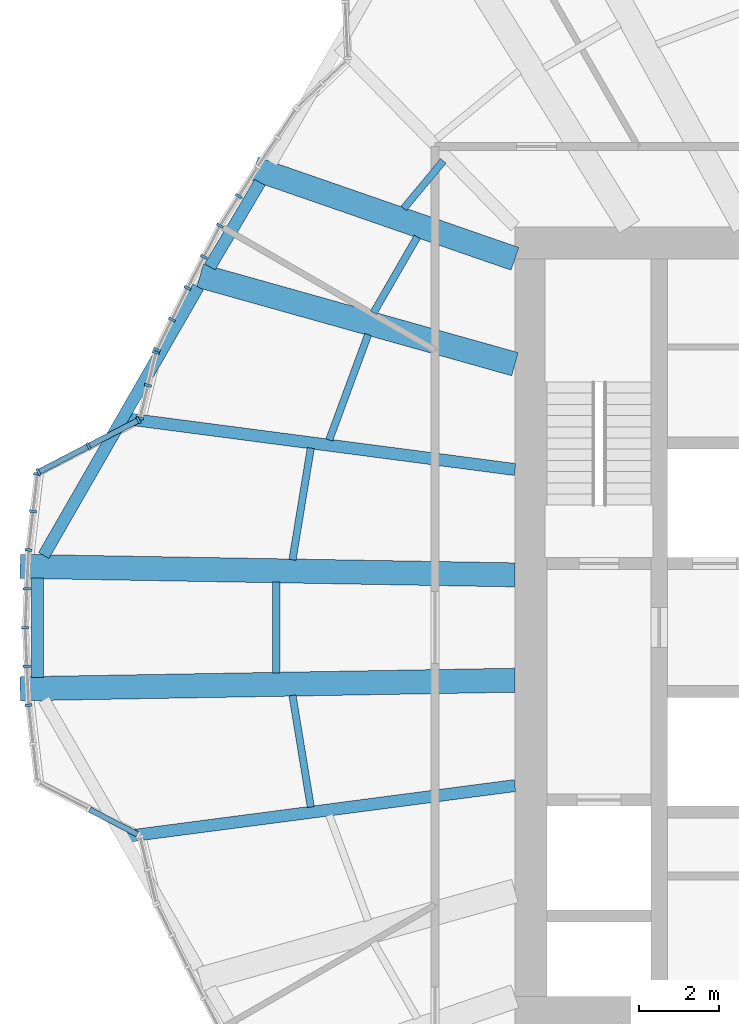
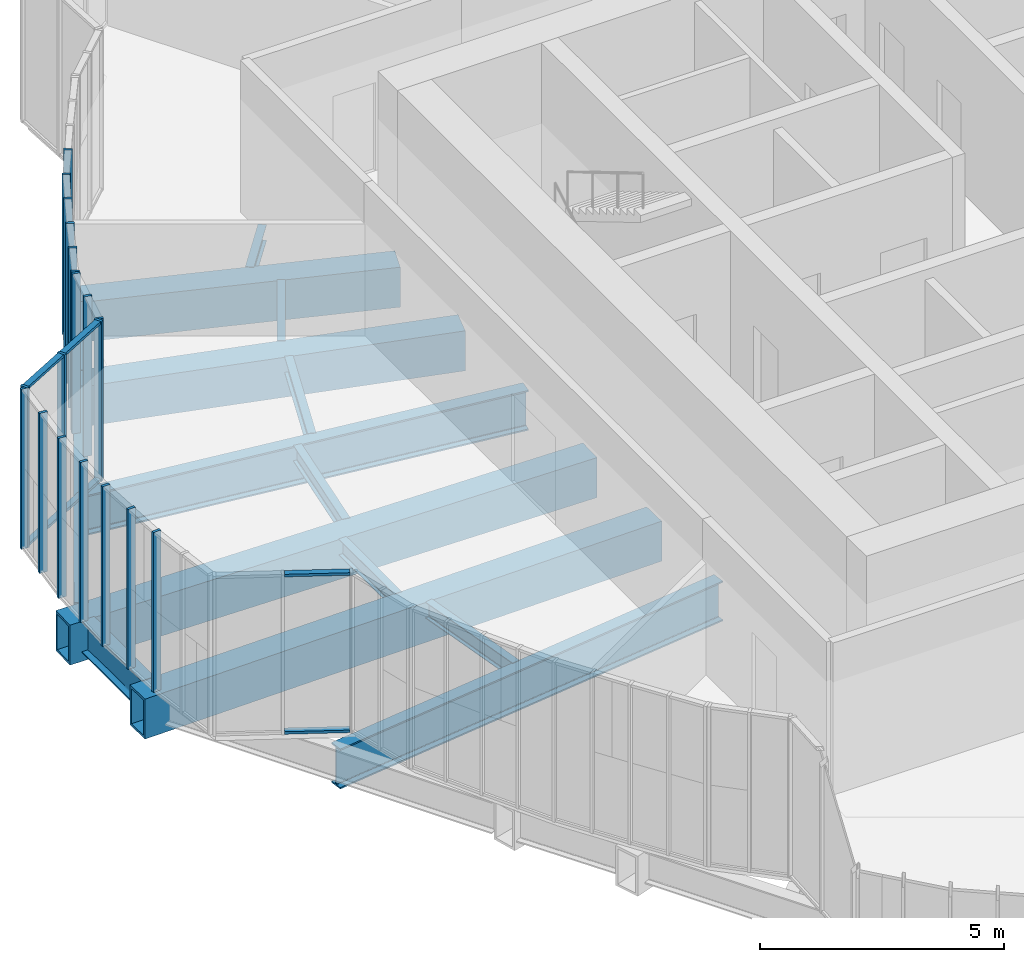
# One storey, part 3 of 24: 25 members, 15 beams, 9 elements without a shape of their own.
"""IFC4 building model written with IfcOpenShell, lengths in metres."""

from ifc_helpers import new_model, si_unit, direction, frame, origin, origin_2d, place, context, subcontext, project, spatial, rectangle, hollow_rectangle, i_section, extrude, material, material_profile, profile_set, type_object, element, aggregate, save


model = new_model("IFC4")

# Units and contexts
model_context = context("Model", 3, precision=1e-05, world=origin(), true_north=direction((0.0, 1.0)))
body_context = subcontext(model_context, "Body", "Model", "MODEL_VIEW")
ifc_project = project(units=[si_unit("LENGTHUNIT", "METRE"), si_unit("AREAUNIT", "SQUARE_METRE"), si_unit("VOLUMEUNIT", "CUBIC_METRE"), si_unit("PLANEANGLEUNIT", "RADIAN"), si_unit("MASSUNIT", "GRAM", prefix="KILO")], contexts=[model_context])

# Site, building, storey
site_placement = place(None, origin())
site = spatial("IfcSite", under=ifc_project, at=site_placement, CompositionType="ELEMENT")
building_placement = place(site_placement, origin())
building = spatial("IfcBuilding", under=site, at=building_placement, Name="Golbaran Civic Tower", CompositionType="ELEMENT")
storey_placement = place(building_placement, frame((0.0, 0.0, 25.0)))
storey = spatial("IfcBuildingStorey", under=building, at=storey_placement, Name="L05", CompositionType="ELEMENT", Elevation=25.0)

# Beams
ifc_material_1 = material(Name="Steel S355", Category="steel")
ifc_material_profile_1 = material_profile(ifc_material_1, i_section(OverallWidth=0.300048828125, OverallDepth=0.800048828125, WebThickness=0.017578125, FlangeThickness=0.032958984375, FilletRadius=0.030029296875, at=origin_2d()), Name="HEB 800")
ifc_profile_set_1 = profile_set([ifc_material_profile_1], Name="Steel S355")
beam_type_1 = type_object("IfcBeamType", Name="EDGE BEAM HEB 800", PredefinedType="BEAM", material=ifc_profile_set_1)
beam_1_placement = place(storey_placement, frame((-16.36279296875, 11.10791015625, -0.60009765625), z_axis=(-0.509256148857, -0.86061499804, 0.0), x_axis=(0.86061499804, -0.509256148857, 0.0)))
element("IfcBeam", 1, at=beam_1_placement, inside=storey, type_object=beam_type_1, Name="Edge beam 145.74 L05", PredefinedType="BEAM", context=body_context, shape_type="SweptSolid", body=[
    extrude(i_section(OverallWidth=0.300048828125, OverallDepth=0.800048828125, WebThickness=0.017578125, FlangeThickness=0.032958984375, FilletRadius=0.030029296875, at=origin_2d()), origin(), (0.0, 0.0, 1.0), 2.45068359375),
])
beam_2_placement = place(storey_placement, frame((-17.90234375, 8.4990234375, -0.60009765625), z_axis=(-0.498561902583, -0.866854099196, 0.0), x_axis=(0.866854099196, -0.498561902583, 0.0)))
element("IfcBeam", 2, at=beam_2_placement, inside=storey, type_object=beam_type_1, Name="Edge beam 154.26 L05", PredefinedType="BEAM", context=body_context, shape_type="SweptSolid", body=[
    extrude(i_section(OverallWidth=0.300048828125, OverallDepth=0.800048828125, WebThickness=0.017578125, FlangeThickness=0.032958984375, FilletRadius=0.030029296875, at=origin_2d()), origin(), (0.0, 0.0, 1.0), 7.730712890625),
])
beam_3_placement = place(storey_placement, frame((-21.916015625, 1.240234375, -0.60009765625), z_axis=(0.0, -1.0, 0.0), x_axis=(1.0, 0.0, 0.0)))
element("IfcBeam", 3, at=beam_3_placement, inside=storey, type_object=beam_type_1, Name="Edge beam 176.17 L05", PredefinedType="BEAM", context=body_context, shape_type="SweptSolid", body=[
    extrude(i_section(OverallWidth=0.300048828125, OverallDepth=0.800048828125, WebThickness=0.017578125, FlangeThickness=0.032958984375, FilletRadius=0.030029296875, at=origin_2d()), origin(), (0.0, 0.0, 1.0), 2.48046875),
])
ifc_material_profile_2 = material_profile(ifc_material_1, i_section(OverallWidth=0.179931640625, OverallDepth=0.39990234375, WebThickness=0.008544921875, FlangeThickness=0.013427734375, FilletRadius=0.02099609375, at=origin_2d()), Name="IPE 400")
ifc_profile_set_2 = profile_set([ifc_material_profile_2], Name="Steel S355")
beam_type_2 = type_object("IfcBeamType", Name="FLOOR INFILL BEAM IPE 400", PredefinedType="BEAM", material=ifc_profile_set_2)
beam_4_placement = place(storey_placement, frame((-11.786865234375, 11.64453125, -0.39990234375), z_axis=(-0.639203926169, -0.769037281782, 0.0), x_axis=(0.769037281782, -0.639203926169, 0.0)))
element("IfcBeam", 4, at=beam_4_placement, inside=storey, type_object=beam_type_2, Name="Infill beam 140.27 L05", PredefinedType="BEAM", context=body_context, shape_type="SweptSolid", body=[
    extrude(i_section(OverallWidth=0.179931640625, OverallDepth=0.39990234375, WebThickness=0.008544921875, FlangeThickness=0.013427734375, FilletRadius=0.02099609375, at=origin_2d()), origin(), (0.0, 0.0, 1.0), 1.543701171875),
])
beam_5_placement = place(storey_placement, frame((-12.435791015625, 9.74755859375, -0.39990234375), z_axis=(-0.499980071345, -0.866036909293, 0.0), x_axis=(0.866036909293, -0.499980071345, 0.0)))
element("IfcBeam", 5, at=beam_5_placement, inside=storey, type_object=beam_type_2, Name="Infill beam 150.00 L05", PredefinedType="BEAM", context=body_context, shape_type="SweptSolid", body=[
    extrude(i_section(OverallWidth=0.179931640625, OverallDepth=0.39990234375, WebThickness=0.008544921875, FlangeThickness=0.013427734375, FilletRadius=0.02099609375, at=origin_2d()), origin(), (0.0, 0.0, 1.0), 2.1875),
])
beam_6_placement = place(storey_placement, frame((-13.66357421875, 7.30908203125, -0.39990234375), z_axis=(-0.346383518623, -0.938092990074, 0.0), x_axis=(0.938092990074, -0.346383518623, 0.0)))
element("IfcBeam", 6, at=beam_6_placement, inside=storey, type_object=beam_type_2, Name="Infill beam 159.73 L05", PredefinedType="BEAM", context=body_context, shape_type="SweptSolid", body=[
    extrude(i_section(OverallWidth=0.179931640625, OverallDepth=0.39990234375, WebThickness=0.008544921875, FlangeThickness=0.013427734375, FilletRadius=0.02099609375, at=origin_2d()), origin(), (0.0, 0.0, 1.0), 2.802490234375),
])
beam_7_placement = place(storey_placement, frame((-15.09375, 4.47802734375, -0.39990234375), z_axis=(-0.161707417606, -0.986838746245, 0.0), x_axis=(0.986838746245, -0.161707417606, 0.0)))
element("IfcBeam", 7, at=beam_7_placement, inside=storey, type_object=beam_type_2, Name="Infill beam 170.69 L05", PredefinedType="BEAM", context=body_context, shape_type="SweptSolid", body=[
    extrude(i_section(OverallWidth=0.179931640625, OverallDepth=0.39990234375, WebThickness=0.008544921875, FlangeThickness=0.013427734375, FilletRadius=0.02099609375, at=origin_2d()), origin(), (0.0, 0.0, 1.0), 2.82470703125),
])
beam_8_placement = place(storey_placement, frame((-15.9580078125, 1.13720703125, -0.39990234375), z_axis=(0.0, -1.0, 0.0), x_axis=(1.0, 0.0, 0.0)))
element("IfcBeam", 8, at=beam_8_placement, inside=storey, type_object=beam_type_2, Name="Infill beam 180.00 L05", PredefinedType="BEAM", context=body_context, shape_type="SweptSolid", body=[
    extrude(i_section(OverallWidth=0.179931640625, OverallDepth=0.39990234375, WebThickness=0.008544921875, FlangeThickness=0.013427734375, FilletRadius=0.02099609375, at=origin_2d()), origin(), (0.0, 0.0, 1.0), 2.2744140625),
])
beam_9_placement = place(storey_placement, frame((-15.550537109375, -1.6904296875, -0.39990234375), z_axis=(0.161707417606, -0.986838746245, 0.0), x_axis=(0.986838746245, 0.161707417606, 0.0)))
element("IfcBeam", 9, at=beam_9_placement, inside=storey, type_object=beam_type_2, Name="Infill beam 189.31 L05", PredefinedType="BEAM", context=body_context, shape_type="SweptSolid", body=[
    extrude(i_section(OverallWidth=0.179931640625, OverallDepth=0.39990234375, WebThickness=0.008544921875, FlangeThickness=0.013427734375, FilletRadius=0.02099609375, at=origin_2d()), origin(), (0.0, 0.0, 1.0), 2.82470703125),
])

# Curtain wall, members
ifc_material_2 = material(Name="Aluminium and glass", Category="aluminium")
curtain_wall_type = type_object("IfcCurtainWallType", Name="INNER SKIN CURTAIN WALL", PredefinedType="NOTDEFINED", material=ifc_material_2)
curtain_wall_1_placement = place(storey_placement, origin())
curtain_wall_1 = element("IfcCurtainWall", 10, at=curtain_wall_1_placement, inside=storey, type_object=curtain_wall_type, Name="Inner skin L05 facet 30 CW1", ObjectType="INNER SKIN", PredefinedType="USERDEFINED")
ifc_material_3 = material(Name="Aluminium", Category="aluminium")
ifc_material_profile_3 = material_profile(ifc_material_3, rectangle(XDim=0.179931640625, YDim=0.06494140625, at=origin_2d()), Name="INNER SKIN CURTAIN WALL MULLION")
ifc_profile_set_3 = profile_set([ifc_material_profile_3], Name="Aluminium")
member_type_1 = type_object("IfcMemberType", Name="INNER SKIN CURTAIN WALL MULLION", PredefinedType="MULLION", material=ifc_profile_set_3)
member_1_placement = place(storey_placement, frame((-16.891357421875, 10.760986328125, 0.0), z_axis=(0.0, 0.0, 1.0), x_axis=(0.843391445841, -0.537299608303, 0.0)))
member_1 = element("IfcMember", 11, at=member_1_placement, type_object=member_type_1, Name="CW1 mullion 2", PredefinedType="MULLION", context=body_context, shape_type="SweptSolid", body=[
    extrude(rectangle(XDim=0.179931640625, YDim=0.06494140625, at=origin_2d()), origin(), (0.0, 0.0, 1.0), 4.0),
])
member_2_placement = place(storey_placement, frame((-17.361328125, 10.0234375, 0.0), z_axis=(0.0, 0.0, 1.0), x_axis=(0.866025403837, -0.499999999909, 0.0)))
member_2 = element("IfcMember", 12, at=member_2_placement, type_object=member_type_1, Name="CW1 mullion 3", PredefinedType="MULLION", context=body_context, shape_type="SweptSolid", body=[
    extrude(rectangle(XDim=0.179931640625, YDim=0.06494140625, at=origin_2d()), origin(), (0.0, 0.0, 1.0), 4.0),
])
aggregate(curtain_wall_1, [member_1, member_2])

curtain_wall_2_placement = place(storey_placement, origin())
curtain_wall_2 = element("IfcCurtainWall", 13, at=curtain_wall_2_placement, inside=storey, type_object=curtain_wall_type, Name="Inner skin L05 facet 31 CW1", ObjectType="INNER SKIN", PredefinedType="USERDEFINED")
member_3_placement = place(storey_placement, frame((-17.764892578125, 9.247802734375, 0.0), z_axis=(0.0, 0.0, 1.0), x_axis=(0.887010833202, -0.461748613189, 0.0)))
member_3 = element("IfcMember", 14, at=member_3_placement, type_object=member_type_1, Name="CW1 mullion 2", PredefinedType="MULLION", context=body_context, shape_type="SweptSolid", body=[
    extrude(rectangle(XDim=0.179931640625, YDim=0.06494140625, at=origin_2d()), origin(), (0.0, 0.0, 1.0), 4.0),
])
member_4_placement = place(storey_placement, frame((-18.168701171875, 8.47216796875, 0.0), z_axis=(0.0, 0.0, 1.0), x_axis=(0.89149153149, -0.453037359698, 0.0)))
member_4 = element("IfcMember", 15, at=member_4_placement, type_object=member_type_1, Name="CW1 mullion 3", PredefinedType="MULLION", context=body_context, shape_type="SweptSolid", body=[
    extrude(rectangle(XDim=0.179931640625, YDim=0.06494140625, at=origin_2d()), origin(), (0.0, 0.0, 1.0), 4.0),
])
aggregate(curtain_wall_2, [member_3, member_4])

curtain_wall_3_placement = place(storey_placement, origin())
curtain_wall_3 = element("IfcCurtainWall", 16, at=curtain_wall_3_placement, inside=storey, type_object=curtain_wall_type, Name="Inner skin L05 facet 32 CW1", ObjectType="INNER SKIN", PredefinedType="USERDEFINED")
member_5_placement = place(storey_placement, frame((-18.559326171875, 7.684814453125, 0.0), z_axis=(0.0, 0.0, 1.0), x_axis=(0.895886679922, -0.444282631597, 0.0)))
member_5 = element("IfcMember", 17, at=member_5_placement, type_object=member_type_1, Name="CW1 mullion 2", PredefinedType="MULLION", context=body_context, shape_type="SweptSolid", body=[
    extrude(rectangle(XDim=0.179931640625, YDim=0.06494140625, at=origin_2d()), origin(), (0.0, 0.0, 1.0), 4.0),
])
member_6_placement = place(storey_placement, frame((-18.935302734375, 6.92626953125, 0.0), z_axis=(0.0, 0.0, 1.0), x_axis=(0.895886679922, -0.444282631597, 0.0)))
member_6 = element("IfcMember", 18, at=member_6_placement, type_object=member_type_1, Name="CW1 mullion 3", PredefinedType="MULLION", context=body_context, shape_type="SweptSolid", body=[
    extrude(rectangle(XDim=0.179931640625, YDim=0.06494140625, at=origin_2d()), origin(), (0.0, 0.0, 1.0), 4.0),
])
aggregate(curtain_wall_3, [member_5, member_6])

curtain_wall_4_placement = place(storey_placement, origin())
curtain_wall_4 = element("IfcCurtainWall", 19, at=curtain_wall_4_placement, inside=storey, type_object=curtain_wall_type, Name="Inner skin L05 facet 33 CW1", ObjectType="INNER SKIN", PredefinedType="USERDEFINED")
member_7_placement = place(storey_placement, frame((-18.95751953125, 6.865478515625, 0.0), z_axis=(0.0, 0.0, 1.0), x_axis=(0.9718683836, -0.235524616461, 0.0)))
member_7 = element("IfcMember", 20, at=member_7_placement, type_object=member_type_1, Name="CW1 mullion 1", PredefinedType="MULLION", context=body_context, shape_type="SweptSolid", body=[
    extrude(rectangle(XDim=0.179931640625, YDim=0.06494140625, at=origin_2d()), origin(), (0.0, 0.0, 1.0), 4.0),
])
member_8_placement = place(storey_placement, frame((-19.156982421875, 6.04296875, 0.0), z_axis=(0.0, 0.0, 1.0), x_axis=(0.9718683836, -0.235524616461, 0.0)))
member_8 = element("IfcMember", 21, at=member_8_placement, type_object=member_type_1, Name="CW1 mullion 2", PredefinedType="MULLION", context=body_context, shape_type="SweptSolid", body=[
    extrude(rectangle(XDim=0.179931640625, YDim=0.06494140625, at=origin_2d()), origin(), (0.0, 0.0, 1.0), 4.0),
])
member_9_placement = place(storey_placement, frame((-19.356201171875, 5.22021484375, 0.0), z_axis=(0.0, 0.0, 1.0), x_axis=(0.9718683836, -0.235524616461, 0.0)))
member_9 = element("IfcMember", 22, at=member_9_placement, type_object=member_type_1, Name="CW1 mullion 3", PredefinedType="MULLION", context=body_context, shape_type="SweptSolid", body=[
    extrude(rectangle(XDim=0.179931640625, YDim=0.06494140625, at=origin_2d()), origin(), (0.0, 0.0, 1.0), 4.0),
])
aggregate(curtain_wall_4, [member_7, member_8, member_9])

curtain_wall_5_placement = place(storey_placement, origin())
curtain_wall_5 = element("IfcCurtainWall", 23, at=curtain_wall_5_placement, inside=storey, type_object=curtain_wall_type, Name="Inner skin L05 facet 34 CW1", ObjectType="INNER SKIN", PredefinedType="USERDEFINED")
member_10_placement = place(storey_placement, frame((-19.392822265625, 5.173583984375, 0.0), z_axis=(0.0, 0.0, 1.0), x_axis=(0.460945090256, -0.887428658411, 0.0)))
member_10 = element("IfcMember", 24, at=member_10_placement, type_object=member_type_1, Name="CW1 mullion 1", PredefinedType="MULLION", context=body_context, shape_type="SweptSolid", body=[
    extrude(rectangle(XDim=0.179931640625, YDim=0.06494140625, at=origin_2d()), origin(), (0.0, 0.0, 1.0), 4.0),
])
member_11_placement = place(storey_placement, frame((-20.638916015625, 4.5263671875, 0.0), z_axis=(0.0, 0.0, 1.0), x_axis=(0.460945090256, -0.887428658411, 0.0)))
member_11 = element("IfcMember", 25, at=member_11_placement, type_object=member_type_1, Name="CW1 mullion 2", PredefinedType="MULLION", context=body_context, shape_type="SweptSolid", body=[
    extrude(rectangle(XDim=0.179931640625, YDim=0.06494140625, at=origin_2d()), origin(), (0.0, 0.0, 1.0), 4.0),
])
member_12_placement = place(storey_placement, frame((-21.885009765625, 3.87890625, 0.0), z_axis=(0.0, 0.0, 1.0), x_axis=(0.460945090256, -0.887428658411, 0.0)))
member_12 = element("IfcMember", 26, at=member_12_placement, type_object=member_type_1, Name="CW1 mullion 3", PredefinedType="MULLION", context=body_context, shape_type="SweptSolid", body=[
    extrude(rectangle(XDim=0.179931640625, YDim=0.06494140625, at=origin_2d()), origin(), (0.0, 0.0, 1.0), 4.0),
])

curtain_wall_6_placement = place(storey_placement, origin())
curtain_wall_6 = element("IfcCurtainWall", 27, at=curtain_wall_6_placement, inside=storey, type_object=curtain_wall_type, Name="Inner skin L05 facet 35 CW1", ObjectType="INNER SKIN", PredefinedType="USERDEFINED")
member_13_placement = place(storey_placement, frame((-21.917724609375, 3.831787109375, 0.0), z_axis=(0.0, 0.0, 1.0), x_axis=(0.993402133964, -0.114683042492, 0.0)))
member_13 = element("IfcMember", 28, at=member_13_placement, type_object=member_type_1, Name="CW1 mullion 1", PredefinedType="MULLION", context=body_context, shape_type="SweptSolid", body=[
    extrude(rectangle(XDim=0.179931640625, YDim=0.06494140625, at=origin_2d()), origin(), (0.0, 0.0, 1.0), 4.0),
])
member_14_placement = place(storey_placement, frame((-22.025146484375, 2.900390625, 0.0), z_axis=(0.0, 0.0, 1.0), x_axis=(0.993402133964, -0.114683042492, 0.0)))
member_14 = element("IfcMember", 29, at=member_14_placement, type_object=member_type_1, Name="CW1 mullion 2", PredefinedType="MULLION", context=body_context, shape_type="SweptSolid", body=[
    extrude(rectangle(XDim=0.179931640625, YDim=0.06494140625, at=origin_2d()), origin(), (0.0, 0.0, 1.0), 4.0),
])
member_15_placement = place(storey_placement, frame((-22.136474609375, 1.936767578125, 0.0), z_axis=(0.0, 0.0, 1.0), x_axis=(0.996858623671, -0.079201542999, 0.0)))
member_15 = element("IfcMember", 30, at=member_15_placement, type_object=member_type_1, Name="CW1 mullion 3", PredefinedType="MULLION", context=body_context, shape_type="SweptSolid", body=[
    extrude(rectangle(XDim=0.179931640625, YDim=0.06494140625, at=origin_2d()), origin(), (0.0, 0.0, 1.0), 4.0),
])
aggregate(curtain_wall_6, [member_13, member_14, member_15])

curtain_wall_7_placement = place(storey_placement, origin())
curtain_wall_7 = element("IfcCurtainWall", 31, at=curtain_wall_7_placement, inside=storey, type_object=curtain_wall_type, Name="Inner skin L05 facet 36 CW1", ObjectType="INNER SKIN", PredefinedType="USERDEFINED")
member_16_placement = place(storey_placement, frame((-22.1787109375, 0.96826171875, 0.0), z_axis=(0.0, 0.0, 1.0), x_axis=(0.999048221576, -0.043619387505, 0.0)))
member_16 = element("IfcMember", 32, at=member_16_placement, type_object=member_type_1, Name="CW1 mullion 2", PredefinedType="MULLION", context=body_context, shape_type="SweptSolid", body=[
    extrude(rectangle(XDim=0.179931640625, YDim=0.06494140625, at=origin_2d()), origin(), (0.0, 0.0, 1.0), 4.0),
])
member_17_placement = place(storey_placement, frame((-22.220947265625, 0.0, 0.0), z_axis=(0.0, 0.0, 1.0), x_axis=(1.0, -7e-11, 0.0)))
member_17 = element("IfcMember", 33, at=member_17_placement, type_object=member_type_1, Name="CW1 mullion 3", PredefinedType="MULLION", context=body_context, shape_type="SweptSolid", body=[
    extrude(rectangle(XDim=0.179931640625, YDim=0.06494140625, at=origin_2d()), origin(), (0.0, 0.0, 1.0), 4.0),
])
aggregate(curtain_wall_7, [member_16, member_17])

curtain_wall_8_placement = place(storey_placement, origin())
curtain_wall_8 = element("IfcCurtainWall", 34, at=curtain_wall_8_placement, inside=storey, type_object=curtain_wall_type, Name="Inner skin L05 facet 37 CW1", ObjectType="INNER SKIN", PredefinedType="USERDEFINED")
member_18_placement = place(storey_placement, frame((-22.1787109375, -0.96826171875, 0.0), z_axis=(0.0, 0.0, 1.0), x_axis=(0.999048221576, 0.043619387505, 0.0)))
member_18 = element("IfcMember", 35, at=member_18_placement, type_object=member_type_1, Name="CW1 mullion 2", PredefinedType="MULLION", context=body_context, shape_type="SweptSolid", body=[
    extrude(rectangle(XDim=0.179931640625, YDim=0.06494140625, at=origin_2d()), origin(), (0.0, 0.0, 1.0), 4.0),
])
member_19_placement = place(storey_placement, frame((-22.136474609375, -1.936767578125, 0.0), z_axis=(0.0, 0.0, 1.0), x_axis=(0.996858623672, 0.079201542981, 0.0)))
member_19 = element("IfcMember", 36, at=member_19_placement, type_object=member_type_1, Name="CW1 mullion 3", PredefinedType="MULLION", context=body_context, shape_type="SweptSolid", body=[
    extrude(rectangle(XDim=0.179931640625, YDim=0.06494140625, at=origin_2d()), origin(), (0.0, 0.0, 1.0), 4.0),
])
aggregate(curtain_wall_8, [member_18, member_19])

# Member
ifc_material_profile_4 = material_profile(ifc_material_3, rectangle(XDim=0.139892578125, YDim=0.06494140625, at=origin_2d()), Name="INNER SKIN CURTAIN WALL TRANSOM")
ifc_profile_set_4 = profile_set([ifc_material_profile_4], Name="Aluminium")
member_type_2 = type_object("IfcMemberType", Name="INNER SKIN CURTAIN WALL TRANSOM", PredefinedType="USERDEFINED", material=ifc_profile_set_4)
member_20_placement = place(storey_placement, frame((-19.421630859375, 5.15869140625, 0.032470703125), z_axis=(-0.887392828843, -0.461014064122, 0.0), x_axis=(0.461014064122, -0.887392828843, 0.0)))
member_20 = element("IfcMember", 37, at=member_20_placement, type_object=member_type_2, Name="CW1 transom 1.1", ObjectType="TRANSOM", PredefinedType="USERDEFINED", context=body_context, shape_type="SweptSolid", body=[
    extrude(rectangle(XDim=0.139892578125, YDim=0.06494140625, at=origin_2d()), origin(), (0.0, 0.0, 1.0), 1.33935546875),
])

member_21_placement = place(storey_placement, frame((-19.421630859375, 5.15869140625, 3.967529296875), z_axis=(-0.887392828843, -0.461014064122, 0.0), x_axis=(0.461014064122, -0.887392828843, 0.0)))
member_21 = element("IfcMember", 38, at=member_21_placement, type_object=member_type_2, Name="CW1 transom 1.2", ObjectType="TRANSOM", PredefinedType="USERDEFINED", context=body_context, shape_type="SweptSolid", body=[
    extrude(rectangle(XDim=0.139892578125, YDim=0.06494140625, at=origin_2d()), origin(), (0.0, 0.0, 1.0), 1.33935546875),
])

member_22_placement = place(storey_placement, frame((-20.667724609375, 4.51123046875, 0.032470703125), z_axis=(-0.88746739887, -0.460870498017, 0.0), x_axis=(0.460870498017, -0.88746739887, 0.0)))
member_22 = element("IfcMember", 39, at=member_22_placement, type_object=member_type_2, Name="CW1 transom 2.1", ObjectType="TRANSOM", PredefinedType="USERDEFINED", context=body_context, shape_type="SweptSolid", body=[
    extrude(rectangle(XDim=0.139892578125, YDim=0.06494140625, at=origin_2d()), origin(), (0.0, 0.0, 1.0), 1.339111328125),
])

member_23_placement = place(storey_placement, frame((-20.667724609375, 4.51123046875, 3.967529296875), z_axis=(-0.88746739887, -0.460870498017, 0.0), x_axis=(0.460870498017, -0.88746739887, 0.0)))
member_23 = element("IfcMember", 40, at=member_23_placement, type_object=member_type_2, Name="CW1 transom 2.2", ObjectType="TRANSOM", PredefinedType="USERDEFINED", context=body_context, shape_type="SweptSolid", body=[
    extrude(rectangle(XDim=0.139892578125, YDim=0.06494140625, at=origin_2d()), origin(), (0.0, 0.0, 1.0), 1.339111328125),
])

aggregate(curtain_wall_5, [member_10, member_11, member_12, member_20, member_21, member_22, member_23])

# Curtain wall, members
curtain_wall_9_placement = place(storey_placement, origin())
curtain_wall_9 = element("IfcCurtainWall", 41, at=curtain_wall_9_placement, inside=storey, type_object=curtain_wall_type, Name="Inner skin L05 facet 39 CW1", ObjectType="INNER SKIN", PredefinedType="USERDEFINED")
member_24_placement = place(storey_placement, frame((-20.610107421875, -4.541259765625, 0.032470703125), z_axis=(0.887392828843, -0.461014064122, 0.0), x_axis=(0.461014064122, 0.887392828843, 0.0)))
member_24 = element("IfcMember", 42, at=member_24_placement, type_object=member_type_2, Name="CW1 transom 2.1", ObjectType="TRANSOM", PredefinedType="USERDEFINED", context=body_context, shape_type="SweptSolid", body=[
    extrude(rectangle(XDim=0.139892578125, YDim=0.06494140625, at=origin_2d()), origin(), (0.0, 0.0, 1.0), 1.33935546875),
])
member_25_placement = place(storey_placement, frame((-20.610107421875, -4.541259765625, 3.967529296875), z_axis=(0.887392828843, -0.461014064122, 0.0), x_axis=(0.461014064122, 0.887392828843, 0.0)))
member_25 = element("IfcMember", 43, at=member_25_placement, type_object=member_type_2, Name="CW1 transom 2.2", ObjectType="TRANSOM", PredefinedType="USERDEFINED", context=body_context, shape_type="SweptSolid", body=[
    extrude(rectangle(XDim=0.139892578125, YDim=0.06494140625, at=origin_2d()), origin(), (0.0, 0.0, 1.0), 1.33935546875),
])
aggregate(curtain_wall_9, [member_24, member_25])

# Beams
ifc_material_profile_5 = material_profile(ifc_material_1, hollow_rectangle(XDim=0.60009765625, YDim=1.0, WallThickness=0.06005859375, at=origin_2d()), Name="BOX 1000x600x60")
ifc_profile_set_5 = profile_set([ifc_material_profile_5], Name="Steel S355")
beam_type_3 = type_object("IfcBeamType", Name="RADIAL FLOOR BEAM BOX 1000x600x60", PredefinedType="BEAM", material=ifc_profile_set_5)
beam_10_placement = place(storey_placement, frame((-10.0, 9.199951171875, -0.7099609375), z_axis=(-0.944904665861, 0.327345646733, 0.0), x_axis=(-0.327345646733, -0.944904665861, 0.0)))
element("IfcBeam", 44, at=beam_10_placement, inside=storey, type_object=beam_type_3, Name="Radial beam 145.74 L05", PredefinedType="BEAM", context=body_context, shape_type="SweptSolid", body=[
    extrude(hollow_rectangle(XDim=0.60009765625, YDim=1.0, WallThickness=0.06005859375, at=origin_2d()), origin(), (0.0, 0.0, 1.0), 6.8837890625),
])
beam_11_placement = place(storey_placement, frame((-10.0, 6.571533203125, -0.7099609375), z_axis=(-0.962787297075, 0.270260283043, 0.0), x_axis=(-0.270260283043, -0.962787297075, 0.0)))
element("IfcBeam", 45, at=beam_11_placement, inside=storey, type_object=beam_type_3, Name="Radial beam 154.26 L05", PredefinedType="BEAM", context=body_context, shape_type="SweptSolid", body=[
    extrude(hollow_rectangle(XDim=0.60009765625, YDim=1.0, WallThickness=0.06005859375, at=origin_2d()), origin(), (0.0, 0.0, 1.0), 8.1591796875),
])
for number, where, z_axis, x_axis, name in (
    (46, (-10.0, 1.314208984375, -0.7099609375), (-0.999850281855, 0.017303579838, 0.0), (-0.017303579838, -0.999850281855, 0.0), "Radial beam 176.17 L05"),
    (47, (-10.0, -1.314208984375, -0.7099609375), (-0.999850281855, -0.017303579838, 0.0), (0.017303579838, -0.999850281855, 0.0), "Radial beam 183.83 L05"),
):
    element("IfcBeam", number, at=place(storey_placement, frame(where, z_axis=z_axis, x_axis=x_axis)), inside=storey, type_object=beam_type_3, Name=name, PredefinedType="BEAM", context=body_context, shape_type="SweptSolid", body=[
        extrude(hollow_rectangle(XDim=0.60009765625, YDim=1.0, WallThickness=0.06005859375, at=origin_2d()), origin(), (0.0, 0.0, 1.0), 12.345703125),
    ])
ifc_material_profile_6 = material_profile(ifc_material_1, i_section(OverallWidth=0.300048828125, OverallDepth=1.0, WebThickness=0.01904296875, FlangeThickness=0.035888671875, FilletRadius=0.030029296875, at=origin_2d()), Name="HEB 1000")
ifc_profile_set_6 = profile_set([ifc_material_profile_6], Name="Steel S355")
beam_type_4 = type_object("IfcBeamType", Name="SECONDARY FLOOR BEAM HEB 1000", PredefinedType="BEAM", material=ifc_profile_set_6)
for number, where, z_axis, x_axis, name in (
    (48, (-10.0, 3.94287109375, -0.7099609375), (-0.991554278086, 0.129692380691, 0.0), (-0.129692380691, -0.991554278086, 0.0), "Secondary beam 165.21 L05"),
    (49, (-10.0, -3.94287109375, -0.7099609375), (-0.991554278086, -0.129692380691, 0.0), (0.129692380691, -0.991554278086, 0.0), "Secondary beam 194.79 L05"),
):
    element("IfcBeam", number, at=place(storey_placement, frame(where, z_axis=z_axis, x_axis=x_axis)), inside=storey, type_object=beam_type_4, Name=name, PredefinedType="BEAM", context=body_context, shape_type="SweptSolid", body=[
        extrude(i_section(OverallWidth=0.300048828125, OverallDepth=1.0, WebThickness=0.01904296875, FlangeThickness=0.035888671875, FilletRadius=0.030029296875, at=origin_2d()), origin(), (0.0, 0.0, 1.0), 9.86962890625),
    ])

save(model, "model.ifc")
